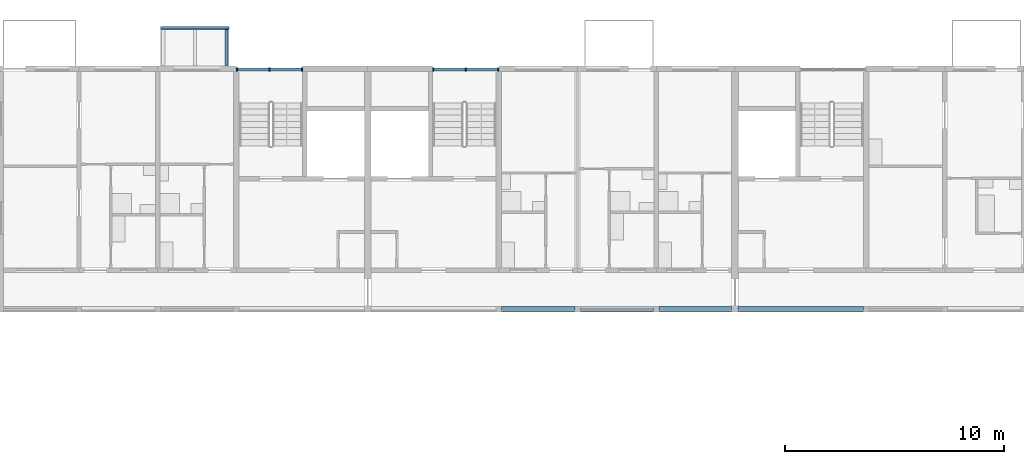
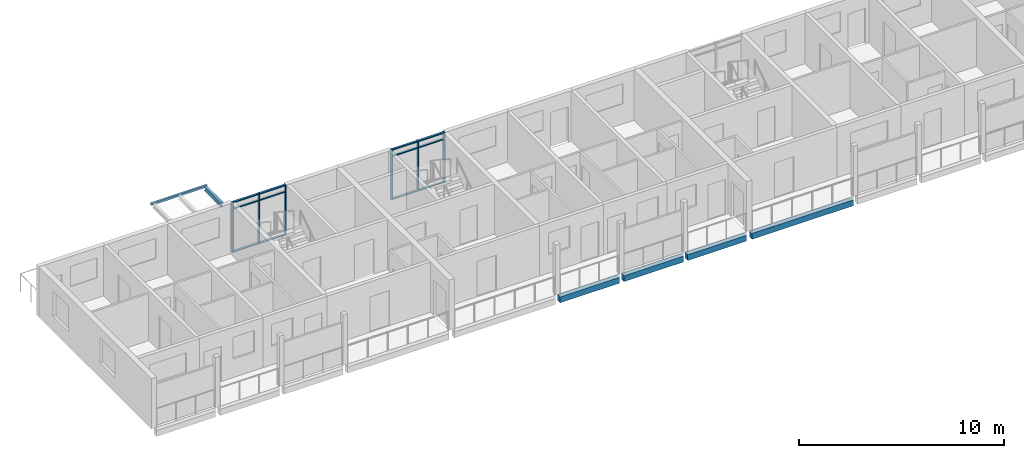
# One storey, part 16 of 115: 18 members, 6 beams, 2 elements without a shape of their own.
"""IFC4 building model written with IfcOpenShell, lengths in metres."""

from ifc_helpers import new_model, si_unit, direction, frame, origin, origin_2d, place, context, subcontext, project, spatial, rectangle, hollow_rectangle, i_section, extrude, material, material_profile, profile_set, type_object, element, aggregate, save


model = new_model("IFC4")

# Units and contexts
model_context = context("Model", 3, precision=1e-05, world=origin(), true_north=direction((0.0, 1.0)))
body_context = subcontext(model_context, "Body", "Model", "MODEL_VIEW")
ifc_project = project(units=[si_unit("LENGTHUNIT", "METRE"), si_unit("AREAUNIT", "SQUARE_METRE"), si_unit("VOLUMEUNIT", "CUBIC_METRE"), si_unit("PLANEANGLEUNIT", "RADIAN"), si_unit("MASSUNIT", "GRAM", prefix="KILO")], contexts=[model_context])

# Site, building, storey
site_placement = place(None, origin())
site = spatial("IfcSite", under=ifc_project, at=site_placement, CompositionType="ELEMENT")
building_placement = place(site_placement, origin())
building = spatial("IfcBuilding", under=site, at=building_placement, Name="Ridgestep Commons", CompositionType="ELEMENT")
storey_placement = place(building_placement, frame((0.0, 0.0, 6.0)))
storey = spatial("IfcBuildingStorey", under=building, at=storey_placement, Name="L02", CompositionType="ELEMENT", Elevation=6.0)

# Beams
ifc_material_1 = material(Name="Precast concrete C40/50", Category="concrete")
ifc_material_profile_1 = material_profile(ifc_material_1, rectangle(XDim=0.25, YDim=0.35009765625, at=origin_2d()), Name="PC 250x350")
ifc_profile_set_1 = profile_set([ifc_material_profile_1], Name="Precast concrete C40/50")
beam_type_1 = type_object("IfcBeamType", Name="Loggia edge beam 250 x 350", PredefinedType="SPANDREL", material=ifc_profile_set_1)
beam_1_placement = place(storey_placement, frame((34.925048828125, 66.125, -0.375), z_axis=(1.0, 0.0, 0.0), x_axis=(0.0, 1.0, 0.0)))
element("IfcBeam", 1, at=beam_1_placement, inside=storey, type_object=beam_type_1, Name="Loggia edge beam B2T3 L02", PredefinedType="SPANDREL", context=body_context, shape_type="SweptSolid", body=[
    extrude(rectangle(XDim=0.25, YDim=0.35009765625, at=origin_2d()), origin(), (0.0, 0.0, 1.0), 3.349853515625),
])
beam_2_placement = place(storey_placement, frame((38.52490234375, 66.125, -0.375), z_axis=(1.0, 0.0, 0.0), x_axis=(0.0, 1.0, 0.0)))
element("IfcBeam", 2, at=beam_2_placement, inside=storey, type_object=beam_type_1, Name="Loggia edge beam B2T2 L02", PredefinedType="SPANDREL", context=body_context, shape_type="SweptSolid", body=[
    extrude(rectangle(XDim=0.25, YDim=0.35009765625, at=origin_2d()), origin(), (0.0, 0.0, 1.0), 3.35009765625),
])
beam_3_placement = place(storey_placement, frame((42.125, 66.125, -0.375), z_axis=(1.0, 0.0, 0.0), x_axis=(0.0, 1.0, 0.0)))
element("IfcBeam", 3, at=beam_3_placement, inside=storey, type_object=beam_type_1, Name="Loggia edge beam B2T1 L02", PredefinedType="SPANDREL", context=body_context, shape_type="SweptSolid", body=[
    extrude(rectangle(XDim=0.25, YDim=0.35009765625, at=origin_2d()), origin(), (0.0, 0.0, 1.0), 3.324951171875),
])
beam_4_placement = place(storey_placement, frame((45.75, 66.125, -0.375), z_axis=(1.0, 0.0, 0.0), x_axis=(0.0, 1.0, 0.0)))
element("IfcBeam", 4, at=beam_4_placement, inside=storey, type_object=beam_type_1, Name="Loggia edge beam B3C L02", PredefinedType="SPANDREL", context=body_context, shape_type="SweptSolid", body=[
    extrude(rectangle(XDim=0.25, YDim=0.35009765625, at=origin_2d()), origin(), (0.0, 0.0, 1.0), 5.72509765625),
])

# Curtain wall, members
ifc_material_2 = material(Name="Aluminium 6063-T6 and glass", Category="aluminium")
curtain_wall_type = type_object("IfcCurtainWallType", Name="Curtain wall stair strip", PredefinedType="NOTDEFINED", material=ifc_material_2)
curtain_wall_1_placement = place(storey_placement, origin())
curtain_wall_1 = element("IfcCurtainWall", 5, at=curtain_wall_1_placement, inside=storey, type_object=curtain_wall_type, Name="Curtain wall B1C level 02", PredefinedType="NOTDEFINED")
ifc_material_3 = material(Name="Aluminium 6063-T6", Category="aluminium")
ifc_material_profile_2 = material_profile(ifc_material_3, rectangle(XDim=0.159912109375, YDim=0.06005859375, at=origin_2d()), Name="Mullion 60 x 160")
ifc_profile_set_2 = profile_set([ifc_material_profile_2], Name="Aluminium 6063-T6")
member_type_1 = type_object("IfcMemberType", Name="Mullion 60 x 160", PredefinedType="MULLION", material=ifc_profile_set_2)
member_1_placement = place(storey_placement, frame((22.830078125, 77.080078125, 0.0), z_axis=(0.0, 0.0, 1.0), x_axis=(0.0, 1.0, 0.0)))
member_1 = element("IfcMember", 6, at=member_1_placement, type_object=member_type_1, Name="CW1 mullion 1", PredefinedType="MULLION", context=body_context, shape_type="SweptSolid", body=[
    extrude(rectangle(XDim=0.159912109375, YDim=0.06005859375, at=origin_2d()), origin(), (0.0, 0.0, 1.0), 3.0),
])
member_2_placement = place(storey_placement, frame((24.3125, 77.080078125, 0.0), z_axis=(0.0, 0.0, 1.0), x_axis=(0.0, 1.0, 0.0)))
member_2 = element("IfcMember", 7, at=member_2_placement, type_object=member_type_1, Name="CW1 mullion 2", PredefinedType="MULLION", context=body_context, shape_type="SweptSolid", body=[
    extrude(rectangle(XDim=0.159912109375, YDim=0.06005859375, at=origin_2d()), origin(), (0.0, 0.0, 1.0), 3.0),
])
member_3_placement = place(storey_placement, frame((25.794921875, 77.080078125, 0.0), z_axis=(0.0, 0.0, 1.0), x_axis=(0.0, 1.0, 0.0)))
member_3 = element("IfcMember", 8, at=member_3_placement, type_object=member_type_1, Name="CW1 mullion 3", PredefinedType="MULLION", context=body_context, shape_type="SweptSolid", body=[
    extrude(rectangle(XDim=0.159912109375, YDim=0.06005859375, at=origin_2d()), origin(), (0.0, 0.0, 1.0), 3.0),
])

curtain_wall_2_placement = place(storey_placement, origin())
curtain_wall_2 = element("IfcCurtainWall", 9, at=curtain_wall_2_placement, inside=storey, type_object=curtain_wall_type, Name="Curtain wall B2C level 02", PredefinedType="NOTDEFINED")
member_4_placement = place(storey_placement, frame((31.804931640625, 77.080078125, 0.0), z_axis=(0.0, 0.0, 1.0), x_axis=(0.0, 1.0, 0.0)))
member_4 = element("IfcMember", 10, at=member_4_placement, type_object=member_type_1, Name="CW1 mullion 1", PredefinedType="MULLION", context=body_context, shape_type="SweptSolid", body=[
    extrude(rectangle(XDim=0.159912109375, YDim=0.06005859375, at=origin_2d()), origin(), (0.0, 0.0, 1.0), 3.0),
])
member_5_placement = place(storey_placement, frame((33.28759765625, 77.080078125, 0.0), z_axis=(0.0, 0.0, 1.0), x_axis=(0.0, 1.0, 0.0)))
member_5 = element("IfcMember", 11, at=member_5_placement, type_object=member_type_1, Name="CW1 mullion 2", PredefinedType="MULLION", context=body_context, shape_type="SweptSolid", body=[
    extrude(rectangle(XDim=0.159912109375, YDim=0.06005859375, at=origin_2d()), origin(), (0.0, 0.0, 1.0), 3.0),
])
member_6_placement = place(storey_placement, frame((34.77001953125, 77.080078125, 0.0), z_axis=(0.0, 0.0, 1.0), x_axis=(0.0, 1.0, 0.0)))
member_6 = element("IfcMember", 12, at=member_6_placement, type_object=member_type_1, Name="CW1 mullion 3", PredefinedType="MULLION", context=body_context, shape_type="SweptSolid", body=[
    extrude(rectangle(XDim=0.159912109375, YDim=0.06005859375, at=origin_2d()), origin(), (0.0, 0.0, 1.0), 3.0),
])

# Member
ifc_material_4 = material(Name="Aluminium 6063-T6", Category="aluminium")
ifc_material_profile_3 = material_profile(ifc_material_4, rectangle(XDim=0.1201171875, YDim=0.06005859375, at=origin_2d()), Name="Transom 60 x 120")
ifc_profile_set_3 = profile_set([ifc_material_profile_3], Name="Aluminium 6063-T6")
member_type_2 = type_object("IfcMemberType", Name="Transom 60 x 120", PredefinedType="USERDEFINED", material=ifc_profile_set_3)
member_7_placement = place(storey_placement, frame((22.860107421875, 77.080078125, 0.030029296875), z_axis=(1.0, 0.0, 0.0), x_axis=(0.0, 1.0, 0.0)))
member_7 = element("IfcMember", 13, at=member_7_placement, type_object=member_type_2, Name="CW1 transom 1.1", ObjectType="TRANSOM", PredefinedType="USERDEFINED", context=body_context, shape_type="SweptSolid", body=[
    extrude(rectangle(XDim=0.1201171875, YDim=0.06005859375, at=origin_2d()), origin(), (0.0, 0.0, 1.0), 1.42236328125),
])

member_8_placement = place(storey_placement, frame((22.860107421875, 77.080078125, 2.590087890625), z_axis=(1.0, 0.0, 0.0), x_axis=(0.0, 1.0, 0.0)))
member_8 = element("IfcMember", 14, at=member_8_placement, type_object=member_type_2, Name="CW1 transom 1.2", ObjectType="TRANSOM", PredefinedType="USERDEFINED", context=body_context, shape_type="SweptSolid", body=[
    extrude(rectangle(XDim=0.1201171875, YDim=0.06005859375, at=origin_2d()), origin(), (0.0, 0.0, 1.0), 1.42236328125),
])

member_9_placement = place(storey_placement, frame((22.860107421875, 77.080078125, 2.969970703125), z_axis=(1.0, 0.0, 0.0), x_axis=(0.0, 1.0, 0.0)))
member_9 = element("IfcMember", 15, at=member_9_placement, type_object=member_type_2, Name="CW1 transom 1.3", ObjectType="TRANSOM", PredefinedType="USERDEFINED", context=body_context, shape_type="SweptSolid", body=[
    extrude(rectangle(XDim=0.1201171875, YDim=0.06005859375, at=origin_2d()), origin(), (0.0, 0.0, 1.0), 1.42236328125),
])

member_10_placement = place(storey_placement, frame((24.342529296875, 77.080078125, 0.030029296875), z_axis=(1.0, 0.0, 0.0), x_axis=(0.0, 1.0, 0.0)))
member_10 = element("IfcMember", 16, at=member_10_placement, type_object=member_type_2, Name="CW1 transom 2.1", ObjectType="TRANSOM", PredefinedType="USERDEFINED", context=body_context, shape_type="SweptSolid", body=[
    extrude(rectangle(XDim=0.1201171875, YDim=0.06005859375, at=origin_2d()), origin(), (0.0, 0.0, 1.0), 1.42236328125),
])

member_11_placement = place(storey_placement, frame((24.342529296875, 77.080078125, 2.590087890625), z_axis=(1.0, 0.0, 0.0), x_axis=(0.0, 1.0, 0.0)))
member_11 = element("IfcMember", 17, at=member_11_placement, type_object=member_type_2, Name="CW1 transom 2.2", ObjectType="TRANSOM", PredefinedType="USERDEFINED", context=body_context, shape_type="SweptSolid", body=[
    extrude(rectangle(XDim=0.1201171875, YDim=0.06005859375, at=origin_2d()), origin(), (0.0, 0.0, 1.0), 1.42236328125),
])

member_12_placement = place(storey_placement, frame((24.342529296875, 77.080078125, 2.969970703125), z_axis=(1.0, 0.0, 0.0), x_axis=(0.0, 1.0, 0.0)))
member_12 = element("IfcMember", 18, at=member_12_placement, type_object=member_type_2, Name="CW1 transom 2.3", ObjectType="TRANSOM", PredefinedType="USERDEFINED", context=body_context, shape_type="SweptSolid", body=[
    extrude(rectangle(XDim=0.1201171875, YDim=0.06005859375, at=origin_2d()), origin(), (0.0, 0.0, 1.0), 1.42236328125),
])

aggregate(curtain_wall_1, [member_1, member_2, member_3, member_7, member_8, member_9, member_10, member_11, member_12])

member_13_placement = place(storey_placement, frame((31.8349609375, 77.080078125, 0.030029296875), z_axis=(1.0, 0.0, 0.0), x_axis=(0.0, 1.0, 0.0)))
member_13 = element("IfcMember", 19, at=member_13_placement, type_object=member_type_2, Name="CW1 transom 1.1", ObjectType="TRANSOM", PredefinedType="USERDEFINED", context=body_context, shape_type="SweptSolid", body=[
    extrude(rectangle(XDim=0.1201171875, YDim=0.06005859375, at=origin_2d()), origin(), (0.0, 0.0, 1.0), 1.422607421875),
])

member_14_placement = place(storey_placement, frame((31.8349609375, 77.080078125, 2.590087890625), z_axis=(1.0, 0.0, 0.0), x_axis=(0.0, 1.0, 0.0)))
member_14 = element("IfcMember", 20, at=member_14_placement, type_object=member_type_2, Name="CW1 transom 1.2", ObjectType="TRANSOM", PredefinedType="USERDEFINED", context=body_context, shape_type="SweptSolid", body=[
    extrude(rectangle(XDim=0.1201171875, YDim=0.06005859375, at=origin_2d()), origin(), (0.0, 0.0, 1.0), 1.422607421875),
])

member_15_placement = place(storey_placement, frame((31.8349609375, 77.080078125, 2.969970703125), z_axis=(1.0, 0.0, 0.0), x_axis=(0.0, 1.0, 0.0)))
member_15 = element("IfcMember", 21, at=member_15_placement, type_object=member_type_2, Name="CW1 transom 1.3", ObjectType="TRANSOM", PredefinedType="USERDEFINED", context=body_context, shape_type="SweptSolid", body=[
    extrude(rectangle(XDim=0.1201171875, YDim=0.06005859375, at=origin_2d()), origin(), (0.0, 0.0, 1.0), 1.422607421875),
])

member_16_placement = place(storey_placement, frame((33.3173828125, 77.080078125, 0.030029296875), z_axis=(1.0, 0.0, 0.0), x_axis=(0.0, 1.0, 0.0)))
member_16 = element("IfcMember", 22, at=member_16_placement, type_object=member_type_2, Name="CW1 transom 2.1", ObjectType="TRANSOM", PredefinedType="USERDEFINED", context=body_context, shape_type="SweptSolid", body=[
    extrude(rectangle(XDim=0.1201171875, YDim=0.06005859375, at=origin_2d()), origin(), (0.0, 0.0, 1.0), 1.422607421875),
])

member_17_placement = place(storey_placement, frame((33.3173828125, 77.080078125, 2.590087890625), z_axis=(1.0, 0.0, 0.0), x_axis=(0.0, 1.0, 0.0)))
member_17 = element("IfcMember", 23, at=member_17_placement, type_object=member_type_2, Name="CW1 transom 2.2", ObjectType="TRANSOM", PredefinedType="USERDEFINED", context=body_context, shape_type="SweptSolid", body=[
    extrude(rectangle(XDim=0.1201171875, YDim=0.06005859375, at=origin_2d()), origin(), (0.0, 0.0, 1.0), 1.422607421875),
])

member_18_placement = place(storey_placement, frame((33.3173828125, 77.080078125, 2.969970703125), z_axis=(1.0, 0.0, 0.0), x_axis=(0.0, 1.0, 0.0)))
member_18 = element("IfcMember", 24, at=member_18_placement, type_object=member_type_2, Name="CW1 transom 2.3", ObjectType="TRANSOM", PredefinedType="USERDEFINED", context=body_context, shape_type="SweptSolid", body=[
    extrude(rectangle(XDim=0.1201171875, YDim=0.06005859375, at=origin_2d()), origin(), (0.0, 0.0, 1.0), 1.422607421875),
])

aggregate(curtain_wall_2, [member_4, member_5, member_6, member_13, member_14, member_15, member_16, member_17, member_18])

# Beams
ifc_material_5 = material(Name="Weathering steel S355J2W", Category="steel")
ifc_material_profile_4 = material_profile(ifc_material_5, i_section(OverallWidth=0.14599609375, OverallDepth=0.25146484375, WebThickness=0.006103515625, FlangeThickness=0.008544921875, FilletRadius=0.007568359375, at=origin_2d()), Name="UB 254x146x31")
ifc_profile_set_4 = profile_set([ifc_material_profile_4], Name="Weathering steel S355J2W")
beam_type_2 = type_object("IfcBeamType", Name="Tray arm UB 254x146x31", PredefinedType="BEAM", material=ifc_profile_set_4)
beam_5_placement = place(storey_placement, frame((22.35009765625, 77.264892578125, 2.8642578125), z_axis=(0.0, 1.0, 0.0), x_axis=(-1.0, 0.0, 0.0)))
element("IfcBeam", 25, at=beam_5_placement, inside=storey, type_object=beam_type_2, Name="Tray arm B1T3-03.3", PredefinedType="BEAM", context=body_context, shape_type="SweptSolid", body=[
    extrude(i_section(OverallWidth=0.14599609375, OverallDepth=0.25146484375, WebThickness=0.006103515625, FlangeThickness=0.008544921875, FilletRadius=0.007568359375, at=origin_2d()), origin(), (0.0, 0.0, 1.0), 1.6650390625),
])
ifc_material_6 = material(Name="Weathering steel S355J2W", Category="steel")
ifc_material_profile_5 = material_profile(ifc_material_6, hollow_rectangle(XDim=0.1201171875, YDim=0.1201171875, WallThickness=0.00634765625, InnerFilletRadius=0.00634765625, OuterFilletRadius=0.009521484375, at=origin_2d()), Name="SHS 120x120x6.3")
ifc_profile_set_5 = profile_set([ifc_material_profile_5], Name="Weathering steel S355J2W")
beam_type_3 = type_object("IfcBeamType", Name="Tray edge member SHS 120x120x6.3", PredefinedType="BEAM", material=ifc_profile_set_5)
beam_6_placement = place(storey_placement, frame((19.330078125, 78.989990234375, 2.929931640625), z_axis=(1.0, 0.0, 0.0), x_axis=(0.0, 0.0, 1.0)))
element("IfcBeam", 26, at=beam_6_placement, inside=storey, type_object=beam_type_3, Name="Tray edge member B1T3-03", PredefinedType="BEAM", context=body_context, shape_type="SweptSolid", body=[
    extrude(hollow_rectangle(XDim=0.1201171875, YDim=0.1201171875, WallThickness=0.00634765625, InnerFilletRadius=0.00634765625, OuterFilletRadius=0.009521484375, at=origin_2d()), origin(), (0.0, 0.0, 1.0), 3.139892578125),
])

save(model, "model.ifc")
